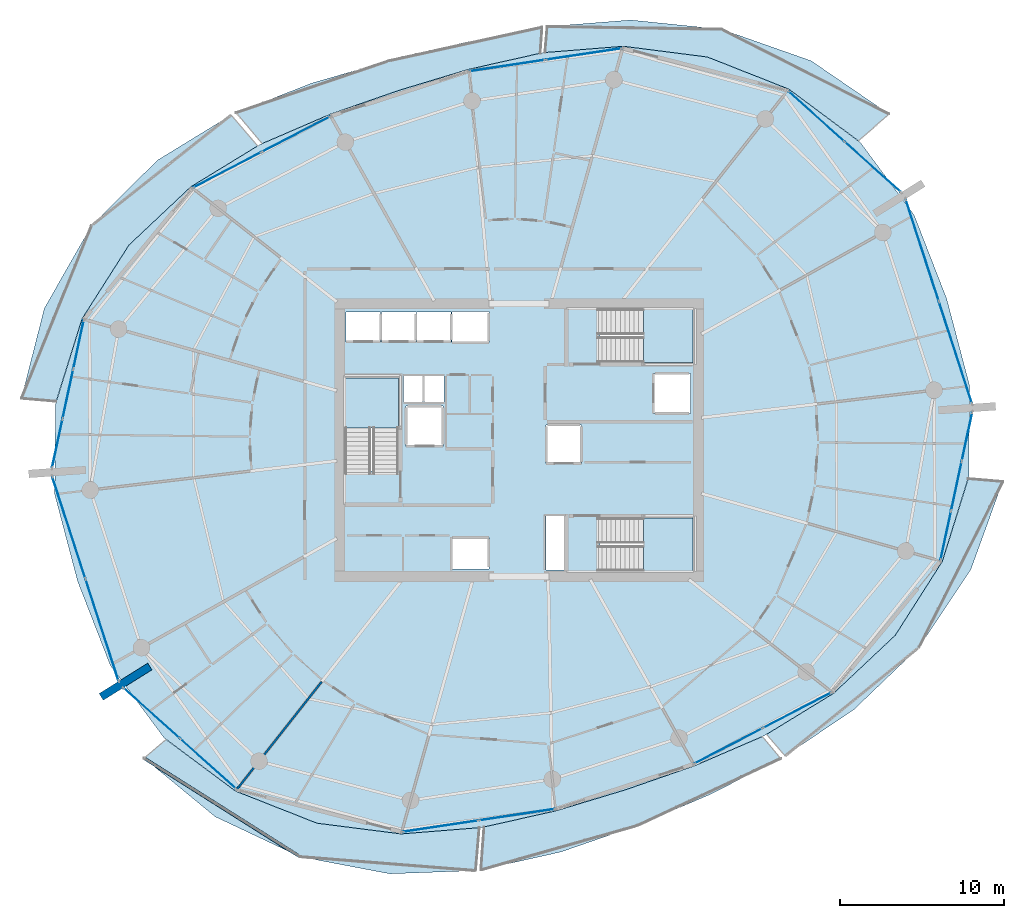
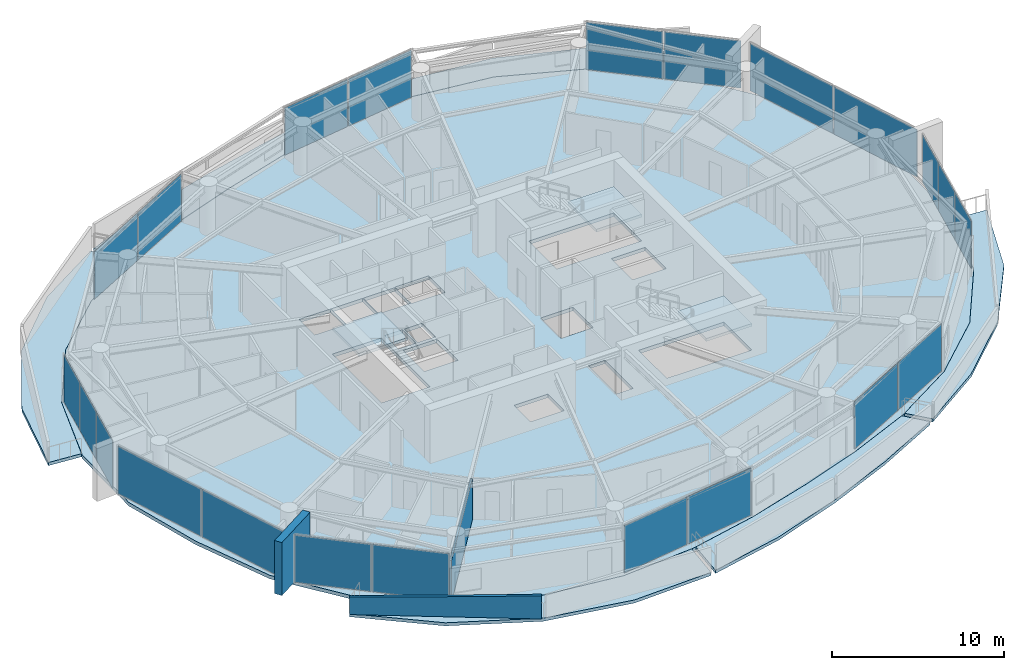
# One storey, part 10 of 20: 22 plates, 10 slabs, 3 walls, 13 elements without a shape of their own.
"""IFC4 building model written with IfcOpenShell, lengths in metres."""

import ifcopenshell
import ifcopenshell.guid

model = None  # the IFC model being written
_history = None  # IfcOwnerHistory: only IFC2X3 demands one
_inside = {}  # id of a spatial element -> (the spatial element, [elements in it])
_under = {}  # id of a project, library or spatial element -> (it, [spatial elements below it])
_declared = {}  # id of a project -> (the project, [libraries it declares])
_typed = {}  # id of a type object -> (the type object, [elements of that type])
_made_of = {}  # id of a material, layer set ... -> (it, [elements and type objects made of it])


def new_model(schema):
    """Start an empty IFC model of exactly this schema.

    Asked for "IFC4X3", IfcOpenShell would pick the latest addendum, in which some entities
    have other attributes; the version numbers below select the first issue.
    IFC2X3 requires an IfcOwnerHistory on every rooted entity: one is made here for all.
    """
    global model, _history
    if schema == "IFC4X3":
        model = ifcopenshell.file(schema_version=(4, 3, 0, 0))
    else:
        model = ifcopenshell.file(schema=schema)
    _inside.clear()
    _under.clear()
    _declared.clear()
    _typed.clear()
    _made_of.clear()
    _history = None
    if model.schema == "IFC2X3":
        org = make("IfcOrganization", Name="unknown")
        user = make(
            "IfcPersonAndOrganization",
            ThePerson=make("IfcPerson", FamilyName="unknown"),
            TheOrganization=org,
        )
        app = make(
            "IfcApplication",
            ApplicationDeveloper=org,
            Version="unknown",
            ApplicationFullName="unknown",
            ApplicationIdentifier="unknown",
        )
        _history = make(
            "IfcOwnerHistory",
            OwningUser=user,
            OwningApplication=app,
            ChangeAction="ADDED",
            CreationDate=0,
        )
    return model


def make(cls, **values):
    """One entity of the class cls with the attributes given. An attribute that is None is left unset."""
    return model.create_entity(
        cls, **{name: value for name, value in values.items() if value is not None}
    )


def rooted(cls, **values):
    """An entity with a GlobalId (a new one), such as an element, a storey or a relation."""
    return make(cls, GlobalId=ifcopenshell.guid.new(), OwnerHistory=_history, **values)


def si_unit(unit_type, name, prefix=None):
    """IfcSIUnit, for example si_unit("LENGTHUNIT", "METRE", prefix="MILLI")."""
    return make("IfcSIUnit", UnitType=unit_type, Prefix=prefix, Name=name)


def assignment(units):
    """IfcUnitAssignment: the units of a project."""
    return None if units is None else make("IfcUnitAssignment", Units=units)


def point(xyz):
    """IfcCartesianPoint."""
    return None if xyz is None else make("IfcCartesianPoint", Coordinates=xyz)


def direction(xyz):
    """IfcDirection."""
    return None if xyz is None else make("IfcDirection", DirectionRatios=xyz)


def frame(location, z_axis=None, x_axis=None):
    """IfcAxis2Placement3D, a coordinate frame: its origin and axes. An axis left out is left unset."""
    return make(
        "IfcAxis2Placement3D",
        Location=point(location),
        Axis=direction(z_axis),
        RefDirection=direction(x_axis),
    )


def frame_2d(location, x_axis=None):
    """IfcAxis2Placement2D, a coordinate frame in the plane: its origin and x axis."""
    return make(
        "IfcAxis2Placement2D", Location=point(location), RefDirection=direction(x_axis)
    )


def origin():
    """The frame at (0, 0, 0) with its axes left unset."""
    return frame((0.0, 0.0, 0.0))


def origin_2d():
    """The frame at (0, 0) in the plane with its x axis left unset."""
    return frame_2d((0.0, 0.0))


def place(relative_to, where):
    """IfcLocalPlacement: puts the frame where relative to a parent placement (None: the world)."""
    return make(
        "IfcLocalPlacement", PlacementRelTo=relative_to, RelativePlacement=where
    )


def context(
    kind, dimensions, precision=None, world=None, true_north=None, identifier=None
):
    """IfcGeometricRepresentationContext, for example the 3D "Model" context."""
    return make(
        "IfcGeometricRepresentationContext",
        ContextIdentifier=identifier,
        ContextType=kind,
        CoordinateSpaceDimension=dimensions,
        Precision=precision,
        WorldCoordinateSystem=world,
        TrueNorth=true_north,
    )


def subcontext(parent, identifier, kind, view, scale=None):
    """IfcGeometricRepresentationSubContext, for example "Body" below "Model"."""
    return make(
        "IfcGeometricRepresentationSubContext",
        ContextIdentifier=identifier,
        ContextType=kind,
        ParentContext=parent,
        TargetScale=scale,
        TargetView=view,
    )


def project(units=None, contexts=None):
    """IfcProject with its units and contexts."""
    return rooted(
        "IfcProject",
        Name="project",
        RepresentationContexts=contexts,
        UnitsInContext=assignment(units),
    )


def spatial(cls, under=None, at=None, **own):
    """A site, building, storey or space (cls), placed at a placement, below another one or the project."""
    s = rooted(cls, ObjectPlacement=at, **own)
    if under is not None:
        _under.setdefault(under.id(), (under, []))[1].append(s)
    return s


def polyline(points):
    """IfcPolyline through the points."""
    return make("IfcPolyline", Points=[point(p) for p in points])


def profile(cls, at=None, kind="AREA", **sizes):
    """A parametric profile (cls). Its sizes go by their IFC names, for example OverallWidth=200.0."""
    return make(cls, ProfileType=kind, Position=at, **sizes)


def rectangle(**sizes):
    """IfcRectangleProfileDef."""
    return profile("IfcRectangleProfileDef", **sizes)


def outline(outer, holes=None, kind="AREA"):
    """IfcArbitraryClosedProfileDef: a profile drawn as a closed curve; with holes, ...WithVoids."""
    if holes is None:
        return make("IfcArbitraryClosedProfileDef", ProfileType=kind, OuterCurve=outer)
    return make(
        "IfcArbitraryProfileDefWithVoids",
        ProfileType=kind,
        OuterCurve=outer,
        InnerCurves=holes,
    )


def extrude(swept, where, along, depth):
    """IfcExtrudedAreaSolid: the profile swept, set in the frame where, extruded along a direction by depth."""
    return make(
        "IfcExtrudedAreaSolid",
        SweptArea=swept,
        Position=where,
        ExtrudedDirection=direction(along),
        Depth=depth,
    )


def shape(context_of_items, identifier, shape_type, items):
    """IfcShapeRepresentation: the items that make up one representation, for example the "Body"."""
    return make(
        "IfcShapeRepresentation",
        ContextOfItems=context_of_items,
        RepresentationIdentifier=identifier,
        RepresentationType=shape_type,
        Items=items,
    )


def material(Name=None, Category=None):
    """IfcMaterial."""
    return make("IfcMaterial", Name=Name, Category=Category)


def layer(
    of_material, thickness, ventilated=None, Name=None, Category=None, Priority=None
):
    """IfcMaterialLayer: one layer of a wall or slab, of a material (None: an air gap)."""
    return make(
        "IfcMaterialLayer",
        Material=of_material,
        LayerThickness=thickness,
        IsVentilated=ventilated,
        Name=Name,
        Category=Category,
        Priority=Priority,
    )


def layer_set(layers, Name=None):
    """IfcMaterialLayerSet."""
    return make("IfcMaterialLayerSet", MaterialLayers=layers, LayerSetName=Name)


def made_of(thing, what):
    """Note that an element or type object is made of a material, layer set ...; save() writes the relation."""
    if what is not None:
        _made_of.setdefault(what.id(), (what, []))[1].append(thing)
    return thing


def type_object(cls, material=None, **own):
    """A type object (cls), such as IfcWallType, which elements share."""
    return made_of(rooted(cls, **own), material)


def element(
    cls,
    number,
    at=None,
    inside=None,
    cuts=None,
    type_object=None,
    material=None,
    context=None,
    identifier="Body",
    shape_type=None,
    held_by="IfcProductDefinitionShape",
    body=None,
    shapes=None,
    **own,
):
    """One element of the class cls, such as IfcWall. Its Tag is "e" and its number.

    at: its placement. inside: the storey or other place that contains it. cuts: it is an
    opening in that element (IfcRelVoidsElement). A single representation is given by context,
    identifier, shape_type and body (its items); several are given by shapes. held_by: the class
    of the entity that holds the representations. save() writes the other relations.
    """
    e = rooted(cls, Tag="e%d" % number, ObjectPlacement=at, **own)
    if body is not None:
        shapes = [shape(context, identifier, shape_type, body)]
    if shapes is not None:
        e.Representation = make(held_by, Representations=shapes)
    if inside is not None:
        _inside.setdefault(inside.id(), (inside, []))[1].append(e)
    if cuts is not None:
        rooted(
            "IfcRelVoidsElement", RelatingBuildingElement=cuts, RelatedOpeningElement=e
        )
    if type_object is not None:
        _typed.setdefault(type_object.id(), (type_object, []))[1].append(e)
    return made_of(e, material)


def aggregate(whole, parts):
    """IfcRelAggregates: a whole, such as a stair, and the parts it consists of."""
    return rooted("IfcRelAggregates", RelatingObject=whole, RelatedObjects=parts)


def save(model, path):
    """Write the relations noted so far, then the file.

    IfcRelAggregates (storeys below a building ...), IfcRelContainedInSpatialStructure (elements
    in a storey), IfcRelDefinesByType, IfcRelAssociatesMaterial and IfcRelDeclares: one each for
    every whole, place, type object, material and project.
    """
    for whole, parts in _under.values():
        aggregate(whole, parts)
    for where, things in _inside.values():
        rooted(
            "IfcRelContainedInSpatialStructure",
            RelatedElements=things,
            RelatingStructure=where,
        )
    for kind, things in _typed.values():
        rooted("IfcRelDefinesByType", RelatedObjects=things, RelatingType=kind)
    for what, things in _made_of.values():
        rooted("IfcRelAssociatesMaterial", RelatedObjects=things, RelatingMaterial=what)
    for by, libraries in _declared.values():
        rooted("IfcRelDeclares", RelatingContext=by, RelatedDefinitions=libraries)
    model.write(path)


model = new_model("IFC4")

# Units and contexts
model_context = context("Model", 3, precision=1e-05, world=origin(), true_north=direction((0.0, 1.0)))
body_context = subcontext(model_context, "Body", "Model", "MODEL_VIEW")
ifc_project = project(units=[si_unit("LENGTHUNIT", "METRE"), si_unit("AREAUNIT", "SQUARE_METRE"), si_unit("VOLUMEUNIT", "CUBIC_METRE"), si_unit("PLANEANGLEUNIT", "RADIAN"), si_unit("MASSUNIT", "GRAM", prefix="KILO")], contexts=[model_context])

# Site, building, storey
site_placement = place(None, origin())
site = spatial("IfcSite", under=ifc_project, at=site_placement, CompositionType="ELEMENT")
building_placement = place(site_placement, origin())
building = spatial("IfcBuilding", under=site, at=building_placement, Name="Kazma Halo Residences", CompositionType="ELEMENT")
storey_placement = place(building_placement, frame((0.0, 0.0, 202.800048828125)))
storey = spatial("IfcBuildingStorey", under=building, at=storey_placement, Name="L51", CompositionType="ELEMENT", Elevation=202.800048828125)

# Curtain wall, plates
ifc_material_1 = material(Name="Aluminium AW-6063 T6 and Triple-Silver Low-E Glass", Category="aluminium")
ifc_layer_1 = layer(ifc_material_1, 0.219970703125)
ifc_layer_set_1 = layer_set([ifc_layer_1], Name="Aluminium AW-6063 T6 and Triple-Silver Low-E Glass")
curtain_wall_type = type_object("IfcCurtainWallType", Name="CW-SYS-4", PredefinedType="NOTDEFINED", material=ifc_layer_set_1)
curtain_wall_1_placement = place(storey_placement, origin())
curtain_wall_1 = element("IfcCurtainWall", 1, at=curtain_wall_1_placement, inside=storey, type_object=curtain_wall_type, Name="L51 unitised curtain wall B01", PredefinedType="NOTDEFINED")
ifc_material_2 = material(Name="Clear Triple-Silver Low-E Glass IGU", Category="glass")
ifc_layer_2 = layer(ifc_material_2, 0.033935546875)
ifc_layer_set_2 = layer_set([ifc_layer_2], Name="Clear Triple-Silver Low-E Glass IGU")
plate_type = type_object("IfcPlateType", Name="CW-SYS-4-PNL", PredefinedType="CURTAIN_PANEL", material=ifc_layer_set_2)
plate_1_placement = place(storey_placement, frame((70.001220703125, 58.669677734375, 0.074951171875), z_axis=(0.0, 0.0, 1.0), x_axis=(-0.744354814723, 0.667784328806, 0.0)))
plate_1 = element("IfcPlate", 2, at=plate_1_placement, type_object=plate_type, Name="CWS-4 panel 1.1", PredefinedType="CURTAIN_PANEL", context=body_context, shape_type="SweptSolid", body=[
    extrude(rectangle(XDim=4.5478515625, YDim=0.033935546875, at=origin_2d()), origin(), (0.0, 0.0, 1.0), 3.35009765625),
])
plate_2_placement = place(storey_placement, frame((66.56005859375, 61.7568359375, 0.074951171875), z_axis=(0.0, 0.0, 1.0), x_axis=(-0.744354814723, 0.667784328806, 0.0)))
plate_2 = element("IfcPlate", 3, at=plate_2_placement, type_object=plate_type, Name="CWS-4 panel 2.1", PredefinedType="CURTAIN_PANEL", context=body_context, shape_type="SweptSolid", body=[
    extrude(rectangle(XDim=4.5478515625, YDim=0.033935546875, at=origin_2d()), origin(), (0.0, 0.0, 1.0), 3.35009765625),
])
aggregate(curtain_wall_1, [plate_1, plate_2])

curtain_wall_2_placement = place(storey_placement, origin())
curtain_wall_2 = element("IfcCurtainWall", 4, at=curtain_wall_2_placement, inside=storey, type_object=curtain_wall_type, Name="L51 unitised curtain wall B03", PredefinedType="NOTDEFINED")
plate_3_placement = place(storey_placement, frame((52.375, 65.562255859375, 0.074951171875), z_axis=(0.0, 0.0, 1.0), x_axis=(-0.988871428361, -0.148772639188, 0.0)))
plate_3 = element("IfcPlate", 5, at=plate_3_placement, type_object=plate_type, Name="CWS-4 panel 1.1", PredefinedType="CURTAIN_PANEL", context=body_context, shape_type="SweptSolid", body=[
    extrude(rectangle(XDim=4.64501953125, YDim=0.033935546875, at=origin_2d()), origin(), (0.0, 0.0, 1.0), 3.35009765625),
])
plate_4_placement = place(storey_placement, frame((47.70751953125, 64.860107421875, 0.074951171875), z_axis=(0.0, 0.0, 1.0), x_axis=(-0.988871428361, -0.148772639188, 0.0)))
plate_4 = element("IfcPlate", 6, at=plate_4_placement, type_object=plate_type, Name="CWS-4 panel 2.1", PredefinedType="CURTAIN_PANEL", context=body_context, shape_type="SweptSolid", body=[
    extrude(rectangle(XDim=4.64501953125, YDim=0.033935546875, at=origin_2d()), origin(), (0.0, 0.0, 1.0), 3.35009765625),
])
aggregate(curtain_wall_2, [plate_3, plate_4])

curtain_wall_3_placement = place(storey_placement, origin())
curtain_wall_3 = element("IfcCurtainWall", 7, at=curtain_wall_3_placement, inside=storey, type_object=curtain_wall_type, Name="L51 unitised curtain wall B05", PredefinedType="NOTDEFINED")
plate_5_placement = place(storey_placement, frame((34.7998046875, 60.666015625, 0.074951171875), z_axis=(0.0, 0.0, 1.0), x_axis=(-0.887465657575, -0.460873851097, 0.0)))
plate_5 = element("IfcPlate", 8, at=plate_5_placement, type_object=plate_type, Name="CWS-4 panel 1.1", PredefinedType="CURTAIN_PANEL", context=body_context, shape_type="SweptSolid", body=[
    extrude(rectangle(XDim=4.64501953125, YDim=0.033935546875, at=origin_2d()), origin(), (0.0, 0.0, 1.0), 3.35009765625),
])
plate_6_placement = place(storey_placement, frame((30.61083984375, 58.49072265625, 0.074951171875), z_axis=(0.0, 0.0, 1.0), x_axis=(-0.887465657575, -0.460873851097, 0.0)))
plate_6 = element("IfcPlate", 9, at=plate_6_placement, type_object=plate_type, Name="CWS-4 panel 2.1", PredefinedType="CURTAIN_PANEL", context=body_context, shape_type="SweptSolid", body=[
    extrude(rectangle(XDim=4.64501953125, YDim=0.033935546875, at=origin_2d()), origin(), (0.0, 0.0, 1.0), 3.35009765625),
])
aggregate(curtain_wall_3, [plate_5, plate_6])

curtain_wall_4_placement = place(storey_placement, origin())
curtain_wall_4 = element("IfcCurtainWall", 10, at=curtain_wall_4_placement, inside=storey, type_object=curtain_wall_type, Name="L51 unitised curtain wall B07", PredefinedType="NOTDEFINED")
plate_7_placement = place(storey_placement, frame((21.53466796875, 47.833740234375, 0.074951171875), z_axis=(0.0, 0.0, 1.0), x_axis=(-0.209689543175, -0.977768017212, 0.0)))
plate_7 = element("IfcPlate", 11, at=plate_7_placement, type_object=plate_type, Name="CWS-4 panel 1.1", PredefinedType="CURTAIN_PANEL", context=body_context, shape_type="SweptSolid", body=[
    extrude(rectangle(XDim=2.994384765625, YDim=0.033935546875, at=origin_2d()), origin(), (0.0, 0.0, 1.0), 3.35009765625),
])
plate_8_placement = place(storey_placement, frame((20.88720703125, 44.814208984375, 0.074951171875), z_axis=(0.0, 0.0, 1.0), x_axis=(-0.209689543175, -0.977768017212, 0.0)))
plate_8 = element("IfcPlate", 12, at=plate_8_placement, type_object=plate_type, Name="CWS-4 panel 2.1", PredefinedType="CURTAIN_PANEL", context=body_context, shape_type="SweptSolid", body=[
    extrude(rectangle(XDim=3.031982421875, YDim=0.033935546875, at=origin_2d()), origin(), (0.0, 0.0, 1.0), 3.35009765625),
])
plate_9_placement = place(storey_placement, frame((20.239501953125, 41.794677734375, 0.074951171875), z_axis=(0.0, 0.0, 1.0), x_axis=(-0.209689543175, -0.977768017212, 0.0)))
plate_9 = element("IfcPlate", 13, at=plate_9_placement, type_object=plate_type, Name="CWS-4 panel 3.1", PredefinedType="CURTAIN_PANEL", context=body_context, shape_type="SweptSolid", body=[
    extrude(rectangle(XDim=2.994384765625, YDim=0.033935546875, at=origin_2d()), origin(), (0.0, 0.0, 1.0), 3.35009765625),
])
aggregate(curtain_wall_4, [plate_7, plate_8, plate_9])

curtain_wall_5_placement = place(storey_placement, origin())
curtain_wall_5 = element("IfcCurtainWall", 14, at=curtain_wall_5_placement, inside=storey, type_object=curtain_wall_type, Name="L51 unitised curtain wall B08", PredefinedType="NOTDEFINED")
plate_10_placement = place(storey_placement, frame((20.942626953125, 36.658447265625, 0.074951171875), z_axis=(0.0, 0.0, 1.0), x_axis=(0.309015833038, -0.951056893636, 0.0)))
plate_10 = element("IfcPlate", 15, at=plate_10_placement, type_object=plate_type, Name="CWS-4 panel 1.1", PredefinedType="CURTAIN_PANEL", context=body_context, shape_type="SweptSolid", body=[
    extrude(rectangle(XDim=6.487060546875, YDim=0.033935546875, at=origin_2d()), origin(), (0.0, 0.0, 1.0), 3.35009765625),
])
plate_11_placement = place(storey_placement, frame((22.970458984375, 30.41748046875, 0.074951171875), z_axis=(0.0, 0.0, 1.0), x_axis=(0.309015833038, -0.951056893636, 0.0)))
plate_11 = element("IfcPlate", 16, at=plate_11_placement, type_object=plate_type, Name="CWS-4 panel 2.1", PredefinedType="CURTAIN_PANEL", context=body_context, shape_type="SweptSolid", body=[
    extrude(rectangle(XDim=6.487060546875, YDim=0.033935546875, at=origin_2d()), origin(), (0.0, 0.0, 1.0), 3.35009765625),
])
aggregate(curtain_wall_5, [plate_10, plate_11])

curtain_wall_6_placement = place(storey_placement, origin())
curtain_wall_6 = element("IfcCurtainWall", 17, at=curtain_wall_6_placement, inside=storey, type_object=curtain_wall_type, Name="L51 unitised curtain wall B09", PredefinedType="NOTDEFINED")
plate_12_placement = place(storey_placement, frame((25.998779296875, 25.330322265625, 0.074951171875), z_axis=(0.0, 0.0, 1.0), x_axis=(0.744354814723, -0.667784328806, 0.0)))
plate_12 = element("IfcPlate", 18, at=plate_12_placement, type_object=plate_type, Name="CWS-4 panel 1.1", PredefinedType="CURTAIN_PANEL", context=body_context, shape_type="SweptSolid", body=[
    extrude(rectangle(XDim=4.5478515625, YDim=0.033935546875, at=origin_2d()), origin(), (0.0, 0.0, 1.0), 3.35009765625),
])
plate_13_placement = place(storey_placement, frame((29.43994140625, 22.2431640625, 0.074951171875), z_axis=(0.0, 0.0, 1.0), x_axis=(0.744354814723, -0.667784328806, 0.0)))
plate_13 = element("IfcPlate", 19, at=plate_13_placement, type_object=plate_type, Name="CWS-4 panel 2.1", PredefinedType="CURTAIN_PANEL", context=body_context, shape_type="SweptSolid", body=[
    extrude(rectangle(XDim=4.5478515625, YDim=0.033935546875, at=origin_2d()), origin(), (0.0, 0.0, 1.0), 3.35009765625),
])
aggregate(curtain_wall_6, [plate_12, plate_13])

curtain_wall_7_placement = place(storey_placement, origin())
curtain_wall_7 = element("IfcCurtainWall", 20, at=curtain_wall_7_placement, inside=storey, type_object=curtain_wall_type, Name="L51 unitised curtain wall B11", PredefinedType="NOTDEFINED")
plate_14_placement = place(storey_placement, frame((43.625, 18.437744140625, 0.074951171875), z_axis=(0.0, 0.0, 1.0), x_axis=(0.988871428361, 0.148772639188, 0.0)))
plate_14 = element("IfcPlate", 21, at=plate_14_placement, type_object=plate_type, Name="CWS-4 panel 1.1", PredefinedType="CURTAIN_PANEL", context=body_context, shape_type="SweptSolid", body=[
    extrude(rectangle(XDim=4.64501953125, YDim=0.033935546875, at=origin_2d()), origin(), (0.0, 0.0, 1.0), 3.35009765625),
])
plate_15_placement = place(storey_placement, frame((48.29248046875, 19.139892578125, 0.074951171875), z_axis=(0.0, 0.0, 1.0), x_axis=(0.988871428361, 0.148772639188, 0.0)))
plate_15 = element("IfcPlate", 22, at=plate_15_placement, type_object=plate_type, Name="CWS-4 panel 2.1", PredefinedType="CURTAIN_PANEL", context=body_context, shape_type="SweptSolid", body=[
    extrude(rectangle(XDim=4.64501953125, YDim=0.033935546875, at=origin_2d()), origin(), (0.0, 0.0, 1.0), 3.35009765625),
])
aggregate(curtain_wall_7, [plate_14, plate_15])

curtain_wall_8_placement = place(storey_placement, origin())
curtain_wall_8 = element("IfcCurtainWall", 23, at=curtain_wall_8_placement, inside=storey, type_object=curtain_wall_type, Name="L51 unitised curtain wall B13", PredefinedType="NOTDEFINED")
plate_16_placement = place(storey_placement, frame((61.2001953125, 23.333984375, 0.074951171875), z_axis=(0.0, 0.0, 1.0), x_axis=(0.887465657575, 0.460873851097, 0.0)))
plate_16 = element("IfcPlate", 24, at=plate_16_placement, type_object=plate_type, Name="CWS-4 panel 1.1", PredefinedType="CURTAIN_PANEL", context=body_context, shape_type="SweptSolid", body=[
    extrude(rectangle(XDim=4.64501953125, YDim=0.033935546875, at=origin_2d()), origin(), (0.0, 0.0, 1.0), 3.35009765625),
])
plate_17_placement = place(storey_placement, frame((65.38916015625, 25.50927734375, 0.074951171875), z_axis=(0.0, 0.0, 1.0), x_axis=(0.887465657575, 0.460873851097, 0.0)))
plate_17 = element("IfcPlate", 25, at=plate_17_placement, type_object=plate_type, Name="CWS-4 panel 2.1", PredefinedType="CURTAIN_PANEL", context=body_context, shape_type="SweptSolid", body=[
    extrude(rectangle(XDim=4.64501953125, YDim=0.033935546875, at=origin_2d()), origin(), (0.0, 0.0, 1.0), 3.35009765625),
])
aggregate(curtain_wall_8, [plate_16, plate_17])

curtain_wall_9_placement = place(storey_placement, origin())
curtain_wall_9 = element("IfcCurtainWall", 26, at=curtain_wall_9_placement, inside=storey, type_object=curtain_wall_type, Name="L51 unitised curtain wall B15", PredefinedType="NOTDEFINED")
plate_18_placement = place(storey_placement, frame((74.46533203125, 36.166259765625, 0.074951171875), z_axis=(0.0, 0.0, 1.0), x_axis=(0.209689543175, 0.977768017212, 0.0)))
plate_18 = element("IfcPlate", 27, at=plate_18_placement, type_object=plate_type, Name="CWS-4 panel 1.1", PredefinedType="CURTAIN_PANEL", context=body_context, shape_type="SweptSolid", body=[
    extrude(rectangle(XDim=2.994384765625, YDim=0.033935546875, at=origin_2d()), origin(), (0.0, 0.0, 1.0), 3.35009765625),
])
plate_19_placement = place(storey_placement, frame((75.11279296875, 39.185791015625, 0.074951171875), z_axis=(0.0, 0.0, 1.0), x_axis=(0.209689543175, 0.977768017212, 0.0)))
plate_19 = element("IfcPlate", 28, at=plate_19_placement, type_object=plate_type, Name="CWS-4 panel 2.1", PredefinedType="CURTAIN_PANEL", context=body_context, shape_type="SweptSolid", body=[
    extrude(rectangle(XDim=3.031982421875, YDim=0.033935546875, at=origin_2d()), origin(), (0.0, 0.0, 1.0), 3.35009765625),
])
plate_20_placement = place(storey_placement, frame((75.760498046875, 42.205322265625, 0.074951171875), z_axis=(0.0, 0.0, 1.0), x_axis=(0.209689543175, 0.977768017212, 0.0)))
plate_20 = element("IfcPlate", 29, at=plate_20_placement, type_object=plate_type, Name="CWS-4 panel 3.1", PredefinedType="CURTAIN_PANEL", context=body_context, shape_type="SweptSolid", body=[
    extrude(rectangle(XDim=2.994384765625, YDim=0.033935546875, at=origin_2d()), origin(), (0.0, 0.0, 1.0), 3.35009765625),
])
aggregate(curtain_wall_9, [plate_18, plate_19, plate_20])

curtain_wall_10_placement = place(storey_placement, origin())
curtain_wall_10 = element("IfcCurtainWall", 30, at=curtain_wall_10_placement, inside=storey, type_object=curtain_wall_type, Name="L51 unitised curtain wall B16", PredefinedType="NOTDEFINED")
plate_21_placement = place(storey_placement, frame((75.057373046875, 47.341552734375, 0.074951171875), z_axis=(0.0, 0.0, 1.0), x_axis=(-0.309015833038, 0.951056893636, 0.0)))
plate_21 = element("IfcPlate", 31, at=plate_21_placement, type_object=plate_type, Name="CWS-4 panel 1.1", PredefinedType="CURTAIN_PANEL", context=body_context, shape_type="SweptSolid", body=[
    extrude(rectangle(XDim=6.487060546875, YDim=0.033935546875, at=origin_2d()), origin(), (0.0, 0.0, 1.0), 3.35009765625),
])
plate_22_placement = place(storey_placement, frame((73.029541015625, 53.58251953125, 0.074951171875), z_axis=(0.0, 0.0, 1.0), x_axis=(-0.309015833038, 0.951056893636, 0.0)))
plate_22 = element("IfcPlate", 32, at=plate_22_placement, type_object=plate_type, Name="CWS-4 panel 2.1", PredefinedType="CURTAIN_PANEL", context=body_context, shape_type="SweptSolid", body=[
    extrude(rectangle(XDim=6.487060546875, YDim=0.033935546875, at=origin_2d()), origin(), (0.0, 0.0, 1.0), 3.35009765625),
])
aggregate(curtain_wall_10, [plate_21, plate_22])

# Slabs
ifc_material_3 = material(Name="White Concrete C50/60", Category="concrete")
ifc_layer_3 = layer(ifc_material_3, 0.219970703125)
ifc_layer_set_3 = layer_set([ifc_layer_3], Name="White Concrete C50/60")
slab_type_1 = type_object("IfcSlabType", Name="SLB-BAL-WAVE-210", PredefinedType="FLOOR", material=ifc_layer_set_3)
slab_1_placement = place(storey_placement, frame((0.0, 0.0, -0.219970703125)))
element("IfcSlab", 33, at=slab_1_placement, inside=storey, type_object=slab_type_1, Name="L51 NE cantilevered wave balcony slab", PredefinedType="FLOOR", context=body_context, shape_type="SweptSolid", body=[
    extrude(outline(polyline([(69.130126953125, 60.271240234375), (64.88720703125, 63.421142578125), (59.913818359375, 65.382080078125), (54.779052734375, 66.036376953125), (50.007080078125, 65.656005859375), (50.1416015625, 67.239501953125), (55.231201171875, 67.6396484375), (60.77587890625, 67.073974609375), (66.248779296875, 65.1484375), (71.006103515625, 61.893310546875), (69.130126953125, 60.271240234375)])), origin(), (0.0, 0.0, 1.0), 0.219970703125),
])
slab_2_placement = place(storey_placement, frame((0.0, 0.0, -0.219970703125)))
element("IfcSlab", 34, at=slab_2_placement, inside=storey, type_object=slab_type_1, Name="L51 NNW cantilevered wave balcony slab", PredefinedType="FLOOR", context=body_context, shape_type="SweptSolid", body=[
    extrude(outline(polyline([(49.713134765625, 65.612060546875), (45.322265625, 64.62451171875), (41.066650390625, 63.338623046875), (36.867919921875, 61.877685546875), (32.735107421875, 60.095458984375), (31.1455078125, 61.97998046875), (35.793212890625, 63.796630859375), (40.479736328125, 65.144775390625), (45.12646484375, 66.278564453125), (49.827880859375, 67.192626953125), (49.713134765625, 65.612060546875)])), origin(), (0.0, 0.0, 1.0), 0.219970703125),
])
slab_3_placement = place(storey_placement, frame((0.0, 0.0, -0.219970703125)))
element("IfcSlab", 35, at=slab_3_placement, inside=storey, type_object=slab_type_1, Name="L51 NW cantilevered wave balcony slab", PredefinedType="FLOOR", context=body_context, shape_type="SweptSolid", body=[
    extrude(outline(polyline([(32.471435546875, 59.958251953125), (28.387451171875, 57.461181640625), (24.617919921875, 53.913818359375), (21.7470703125, 49.404052734375), (20.165771484375, 44.36181640625), (18.044921875, 44.541748046875), (19.44970703125, 50.052001953125), (22.320556640625, 55.084228515625), (26.33935546875, 59.075927734375), (30.846923828125, 61.8369140625), (32.471435546875, 59.958251953125)])), origin(), (0.0, 0.0, 1.0), 0.219970703125),
])
slab_4_placement = place(storey_placement, frame((0.0, 0.0, -0.219970703125)))
element("IfcSlab", 36, at=slab_4_placement, inside=storey, type_object=slab_type_1, Name="L51 SW cantilevered wave balcony slab", PredefinedType="FLOOR", context=body_context, shape_type="SweptSolid", body=[
    extrude(outline(polyline([(26.869873046875, 23.728759765625), (31.11279296875, 20.578857421875), (36.086181640625, 18.617919921875), (41.220947265625, 17.963623046875), (45.992919921875, 18.343994140625), (45.7705078125, 15.724365234375), (40.5341796875, 15.5283203125), (35.04345703125, 16.5712890625), (29.876953125, 19.010986328125), (25.5400390625, 22.578857421875), (26.869873046875, 23.728759765625)])), origin(), (0.0, 0.0, 1.0), 0.219970703125),
])
slab_5_placement = place(storey_placement, frame((0.0, 0.0, -0.219970703125)))
element("IfcSlab", 37, at=slab_5_placement, inside=storey, type_object=slab_type_1, Name="L51 SSE cantilevered wave balcony slab", PredefinedType="FLOOR", context=body_context, shape_type="SweptSolid", body=[
    extrude(outline(polyline([(46.286865234375, 18.387939453125), (50.677734375, 19.37548828125), (54.933349609375, 20.661376953125), (59.132080078125, 22.122314453125), (63.264892578125, 23.904541015625), (64.38916015625, 22.571533203125), (60.107421875, 20.38037109375), (55.64306640625, 18.476806640625), (50.97509765625, 16.86279296875), (46.0966796875, 15.770263671875), (46.286865234375, 18.387939453125)])), origin(), (0.0, 0.0, 1.0), 0.219970703125),
])
slab_6_placement = place(storey_placement, frame((0.0, 0.0, -0.219970703125)))
element("IfcSlab", 38, at=slab_6_placement, inside=storey, type_object=slab_type_1, Name="L51 SE cantilevered wave balcony slab", PredefinedType="FLOOR", context=body_context, shape_type="SweptSolid", body=[
    extrude(outline(polyline([(63.528564453125, 24.041748046875), (67.612548828125, 26.538818359375), (71.382080078125, 30.086181640625), (74.2529296875, 34.595947265625), (75.834228515625, 39.63818359375), (77.936279296875, 39.4599609375), (75.994140625, 34.104736328125), (72.8232421875, 29.351806640625), (68.859619140625, 25.5556640625), (64.663330078125, 22.7294921875), (63.528564453125, 24.041748046875)])), origin(), (0.0, 0.0, 1.0), 0.219970703125),
])
ifc_material_4 = material(Name="Concrete C50/60", Category="concrete")
ifc_layer_4 = layer(ifc_material_4, 0.25)
ifc_layer_set_4 = layer_set([ifc_layer_4], Name="Concrete C50/60")
slab_type_2 = type_object("IfcSlabType", Name="SLB-RES-250", PredefinedType="FLOOR", material=ifc_layer_set_4)
slab_7_placement = place(storey_placement, frame((0.0, 0.0, -0.25)))
element("IfcSlab", 39, at=slab_7_placement, inside=storey, type_object=slab_type_2, Name="L51 structural floor slab", PredefinedType="FLOOR", context=body_context, shape_type="SweptSolid", body=[
    extrude(outline(polyline([(74.521484375, 50.617431640625), (72.531982421875, 55.738525390625), (69.2587890625, 60.156494140625), (64.8857421875, 63.41943359375), (59.912841796875, 65.380126953125), (54.7783203125, 66.034423828125), (49.860595703125, 65.64111328125), (45.322509765625, 64.62255859375), (41.0673828125, 63.336669921875), (36.868896484375, 61.875732421875), (32.598876953125, 60.032470703125), (28.388916015625, 57.460205078125), (24.619873046875, 53.912841796875), (21.7490234375, 49.403564453125), (20.129150390625, 44.193603515625), (20.07763671875, 38.6953125), (21.478515625, 33.382568359375), (23.468017578125, 28.261474609375), (26.7412109375, 23.843505859375), (31.1142578125, 20.58056640625), (36.087158203125, 18.619873046875), (41.2216796875, 17.965576171875), (46.139404296875, 18.35888671875), (50.677490234375, 19.37744140625), (54.9326171875, 20.663330078125), (59.131103515625, 22.124267578125), (63.401123046875, 23.967529296875), (67.611083984375, 26.539794921875), (71.380126953125, 30.087158203125), (74.2509765625, 34.596435546875), (75.870849609375, 39.806396484375), (75.92236328125, 45.3046875), (74.521484375, 50.617431640625)]), holes=[polyline([(37.800048828125, 40.110107421875), (41.050048828125, 40.110107421875), (41.050048828125, 45.800048828125), (37.800048828125, 45.800048828125), (37.800048828125, 40.110107421875)]), polyline([(53.360107421875, 46.75), (59.050048828125, 46.75), (59.050048828125, 50.0), (53.360107421875, 50.0), (53.360107421875, 46.75)]), polyline([(53.360107421875, 34.0), (59.050048828125, 34.0), (59.050048828125, 37.25), (53.360107421875, 37.25), (53.360107421875, 34.0)]), polyline([(41.52001953125, 41.6201171875), (43.780029296875, 41.6201171875), (43.780029296875, 44.080078125), (41.52001953125, 44.080078125), (41.52001953125, 41.6201171875)]), polyline([(56.6201171875, 43.6201171875), (58.8798828125, 43.6201171875), (58.8798828125, 46.080078125), (56.6201171875, 46.080078125), (56.6201171875, 43.6201171875)]), polyline([(37.864990234375, 47.9951171875), (39.97509765625, 47.9951171875), (39.97509765625, 49.804931640625), (37.864990234375, 49.804931640625), (37.864990234375, 47.9951171875)]), polyline([(40.014892578125, 47.9951171875), (42.125, 47.9951171875), (42.125, 49.804931640625), (40.014892578125, 49.804931640625), (40.014892578125, 47.9951171875)]), polyline([(42.1650390625, 47.9951171875), (44.27490234375, 47.9951171875), (44.27490234375, 49.804931640625), (42.1650390625, 49.804931640625), (42.1650390625, 47.9951171875)]), polyline([(44.320068359375, 47.945068359375), (46.580078125, 47.945068359375), (46.580078125, 49.85498046875), (44.320068359375, 49.85498046875), (44.320068359375, 47.945068359375)]), polyline([(44.320068359375, 34.14501953125), (46.580078125, 34.14501953125), (46.580078125, 36.054931640625), (44.320068359375, 36.054931640625), (44.320068359375, 34.14501953125)]), polyline([(50.070068359375, 40.570068359375), (52.22998046875, 40.570068359375), (52.22998046875, 42.929931640625), (50.070068359375, 42.929931640625), (50.070068359375, 40.570068359375)]), polyline([(41.360107421875, 44.340087890625), (42.5400390625, 44.340087890625), (42.5400390625, 45.89990234375), (41.360107421875, 45.89990234375), (41.360107421875, 44.340087890625)]), polyline([(42.659912109375, 44.340087890625), (43.840087890625, 44.340087890625), (43.840087890625, 45.89990234375), (42.659912109375, 45.89990234375), (42.659912109375, 44.340087890625)]), polyline([(50.06005859375, 34.080078125), (51.159912109375, 34.080078125), (51.159912109375, 37.3798828125), (50.06005859375, 37.3798828125), (50.06005859375, 34.080078125)])]), origin(), (0.0, 0.0, 1.0), 0.25),
])

# Stair, slab
stair_type = type_object("IfcStairType", Name="STR-RES1", PredefinedType="HALF_TURN_STAIR", material=ifc_material_4)
stair_1_placement = place(storey_placement, origin())
stair_1 = element("IfcStair", 40, at=stair_1_placement, inside=storey, type_object=stair_type, Name="L51 Core exit stair ST-01", PredefinedType="HALF_TURN_STAIR")
ifc_layer_5 = layer(ifc_material_4, 0.199951171875)
ifc_layer_set_5 = layer_set([ifc_layer_5], Name="Concrete C50/60")
slab_type_3 = type_object("IfcSlabType", Name="SLB-STAIR-LND-200", PredefinedType="LANDING", material=ifc_layer_set_5)
slab_8_placement = place(storey_placement, frame((0.0, 0.0, 1.675048828125)))
slab_8 = element("IfcSlab", 41, at=slab_8_placement, type_object=slab_type_3, Name="ST-01 landing 1", PredefinedType="LANDING", context=body_context, shape_type="SweptSolid", body=[
    extrude(outline(polyline([(41.050048828125, 42.75), (41.050048828125, 45.800048828125), (37.800048828125, 45.800048828125), (37.800048828125, 42.75), (41.050048828125, 42.75)])), origin(), (0.0, 0.0, 1.0), 0.199951171875),
])
aggregate(stair_1, [slab_8])

stair_2_placement = place(storey_placement, origin())
stair_2 = element("IfcStair", 42, at=stair_2_placement, inside=storey, type_object=stair_type, Name="L51 Core exit stair ST-02", PredefinedType="HALF_TURN_STAIR")
slab_9_placement = place(storey_placement, frame((0.0, 0.0, 1.675048828125)))
slab_9 = element("IfcSlab", 43, at=slab_9_placement, type_object=slab_type_3, Name="ST-02 landing 1", PredefinedType="LANDING", context=body_context, shape_type="SweptSolid", body=[
    extrude(outline(polyline([(56.0, 46.75), (59.050048828125, 46.75), (59.050048828125, 50.0), (56.0, 50.0), (56.0, 46.75)])), origin(), (0.0, 0.0, 1.0), 0.199951171875),
])
aggregate(stair_2, [slab_9])

stair_3_placement = place(storey_placement, origin())
stair_3 = element("IfcStair", 44, at=stair_3_placement, inside=storey, type_object=stair_type, Name="L51 Core exit stair ST-03", PredefinedType="HALF_TURN_STAIR")
slab_10_placement = place(storey_placement, frame((0.0, 0.0, 1.675048828125)))
slab_10 = element("IfcSlab", 45, at=slab_10_placement, type_object=slab_type_3, Name="ST-03 landing 1", PredefinedType="LANDING", context=body_context, shape_type="SweptSolid", body=[
    extrude(outline(polyline([(56.0, 34.0), (59.050048828125, 34.0), (59.050048828125, 37.25), (56.0, 37.25), (56.0, 34.0)])), origin(), (0.0, 0.0, 1.0), 0.199951171875),
])
aggregate(stair_3, [slab_10])

# Walls
ifc_material_5 = material(Name="White Concrete C50/60 Balustrade", Category="concrete")
ifc_layer_6 = layer(ifc_material_5, 0.179931640625)
ifc_layer_set_6 = layer_set([ifc_layer_6], Name="White Concrete C50/60 Balustrade")
wall_type_1 = type_object("IfcWallType", Name="WL-BAL-WAVE-180", PredefinedType="PARAPET", material=ifc_layer_set_6)
wall_1_placement = place(storey_placement, frame((25.5400390625, 22.578857421875, 0.0), z_axis=(0.0, 0.0, 1.0), x_axis=(0.845278126761, -0.53432657469, 0.0)))
element("IfcWall", 46, at=wall_1_placement, inside=storey, type_object=wall_type_1, Name="L51 white wave balustrade wall SW.1", PredefinedType="PARAPET", context=body_context, shape_type="SweptSolid", body=[
    extrude(outline(polyline([(0.0, 0.0), (11.123046875, 0.0), (11.123046875, 1.6318359375), (5.5615234375, 1.41796875), (0.0, 1.23291015625), (0.0, 0.0)])), frame((0.0, 0.08984375, 0.0), z_axis=(0.0, -1.0, 0.0), x_axis=(1.0, 0.0, 0.0)), (0.0, 0.0, 1.0), 0.179931640625),
])
ifc_material_6 = material(Name="Pale Concrete C60/75", Category="concrete")
ifc_layer_7 = layer(ifc_material_6, 0.47998046875)
ifc_layer_set_7 = layer_set([ifc_layer_7], Name="Pale Concrete C60/75")
wall_type_2 = type_object("IfcWallType", Name="WL-BLADE-480", PredefinedType="SOLIDWALL", material=ifc_layer_set_7)
wall_2_placement = place(storey_placement, frame((25.88623046875, 28.181884765625, 0.0), z_axis=(0.0, 0.0, 1.0), x_axis=(-0.848033572426, -0.529942506352, 0.0)))
element("IfcWall", 47, at=wall_2_placement, inside=storey, type_object=wall_type_2, Name="L51 pale concrete structural blade fin wall BW-03", PredefinedType="SOLIDWALL", context=body_context, shape_type="SweptSolid", body=[
    extrude(rectangle(XDim=3.5, YDim=0.47998046875, at=frame_2d((1.75, 0.0))), origin(), (0.0, 0.0, 1.0), 3.75),
])
ifc_material_7 = material(Name="Gypsum Plasterboard Partition")
ifc_layer_8 = layer(ifc_material_7, 0.125)
ifc_layer_set_8 = layer_set([ifc_layer_8], Name="Gypsum Plasterboard Partition")
wall_type_3 = type_object("IfcWallType", Name="WL-PART-125", PredefinedType="PARTITIONING", material=ifc_layer_set_8)
wall_3_placement = place(storey_placement, frame((36.375244140625, 27.254150390625, 0.0), z_axis=(0.0, 0.0, 1.0), x_axis=(-0.619083134383, -0.785325456561, 0.0)))
element("IfcWall", 48, at=wall_3_placement, inside=storey, type_object=wall_type_3, Name="L51 Apartment 4 radial partition 9", PredefinedType="PARTITIONING", context=body_context, shape_type="SweptSolid", body=[
    extrude(rectangle(XDim=8.353271484375, YDim=0.125, at=frame_2d((4.1767578125, 0.0))), origin(), (0.0, 0.0, 1.0), 2.93994140625),
])

save(model, "model.ifc")
